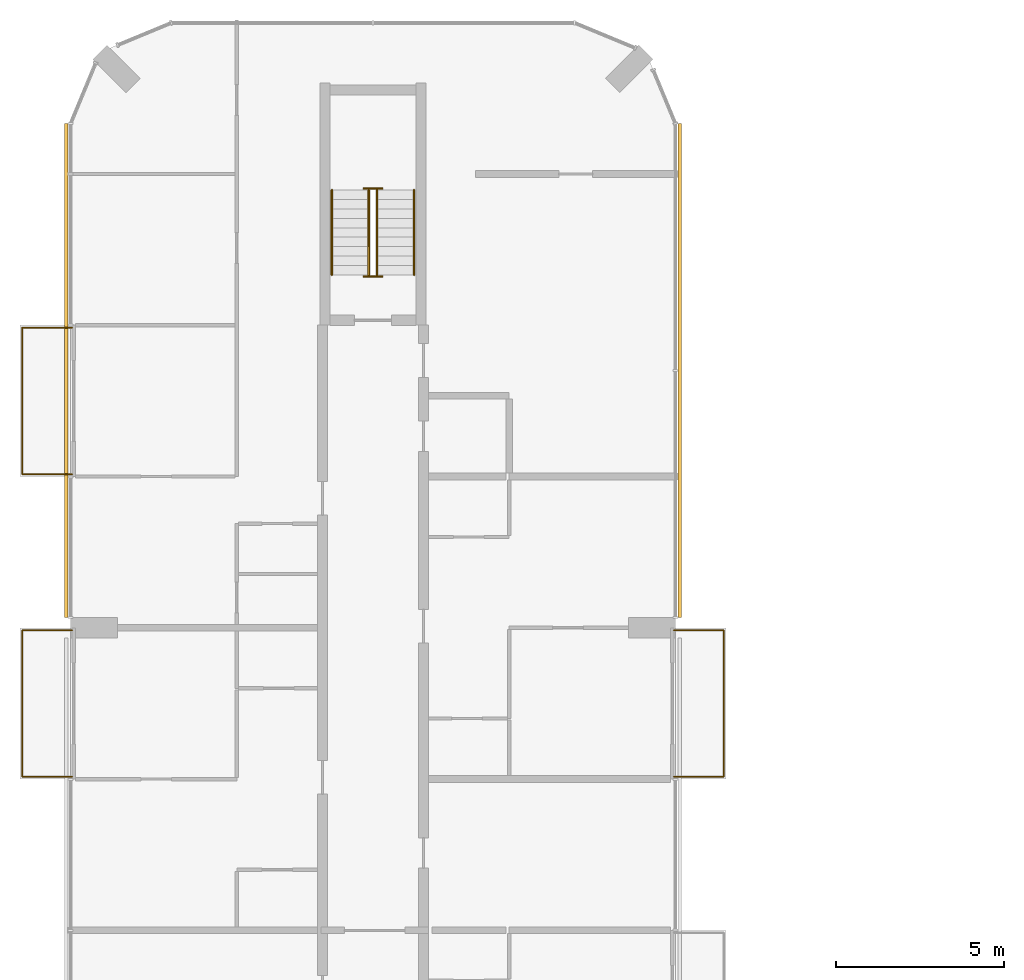
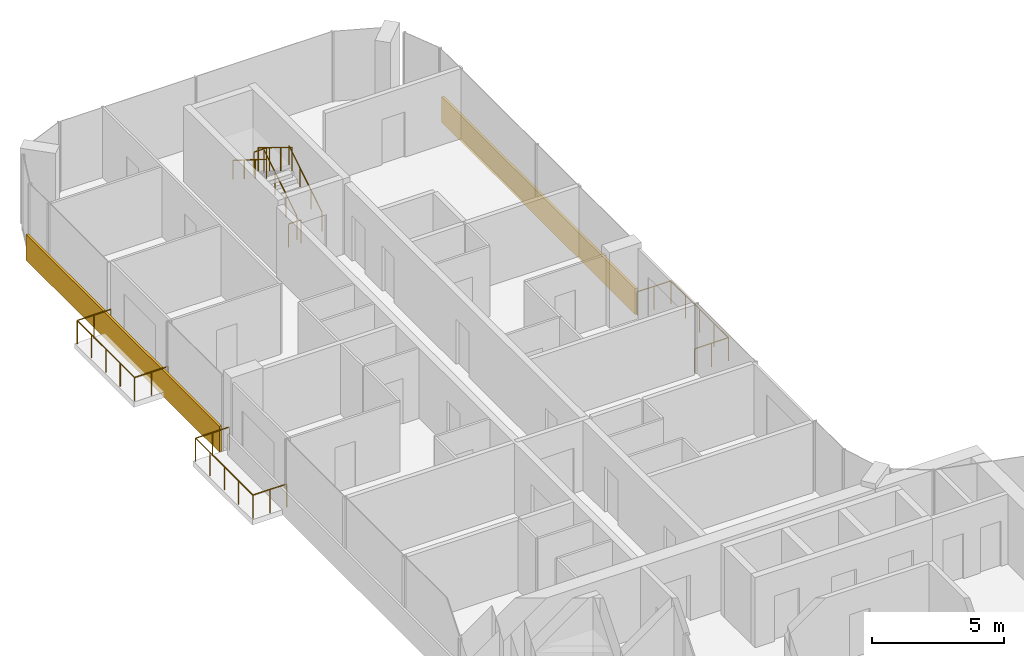
# One storey, part 15 of 15: 9 railings, 2 coverings.
"""IFC4 building model written with IfcOpenShell, lengths in metres."""

from ifc_helpers import new_model, si_unit, direction, frame, origin, origin_2d, place, context, subcontext, project, spatial, rectangle, circle, extrude, material, layer, layer_set, type_object, element, save


model = new_model("IFC4")

# Units and contexts
model_context = context("Model", 3, precision=1e-05, world=origin(), true_north=direction((0.0, 1.0)))
body_context = subcontext(model_context, "Body", "Model", "MODEL_VIEW")
ifc_project = project(units=[si_unit("LENGTHUNIT", "METRE"), si_unit("AREAUNIT", "SQUARE_METRE"), si_unit("VOLUMEUNIT", "CUBIC_METRE"), si_unit("PLANEANGLEUNIT", "RADIAN"), si_unit("MASSUNIT", "GRAM", prefix="KILO")], contexts=[model_context])

# Site, building, storey
site_placement = place(None, origin())
site = spatial("IfcSite", under=ifc_project, at=site_placement, CompositionType="ELEMENT")
building_placement = place(site_placement, origin())
building = spatial("IfcBuilding", under=site, at=building_placement, Name="Plateau Cross Towers", CompositionType="ELEMENT")
storey_placement = place(building_placement, frame((0.0, 0.0, 156.89990234375)))
storey = spatial("IfcBuildingStorey", under=building, at=storey_placement, Name="L40", CompositionType="ELEMENT", Elevation=156.89990234375)

# Railings
ifc_material_1 = material(Name="Stainless steel and toughened glass", Category="steel")
railing_type_1 = type_object("IfcRailingType", Name="Glass balustrade guard 1100", PredefinedType="GUARDRAIL", material=ifc_material_1)
for number, where, name in (
    (1, (0.050048828125, 31.570068359375, 0.0), "Guard guard1"),
    (2, (0.050048828125, 40.570068359375, 0.0), "Guard guard1"),
):
    element("IfcRailing", number, at=place(storey_placement, frame(where)), inside=storey, type_object=railing_type_1, Name=name, PredefinedType="GUARDRAIL", context=body_context, shape_type="SweptSolid", body=[
        extrude(circle(Radius=0.02392578125, at=origin_2d()), frame((0.0, 0.0, 1.076171875), z_axis=(-1.0, 0.0, 0.0), x_axis=(0.0, -1.0, 0.0)), (0.0, 0.0, 1.0), 1.47998046875),
        extrude(circle(Radius=0.02392578125, at=origin_2d()), frame((-1.47998046875, 0.0, 1.076171875), z_axis=(0.0, 1.0, 0.0), x_axis=(-1.0, 0.0, 0.0)), (0.0, 0.0, 1.0), 4.35986328125),
        extrude(circle(Radius=0.02392578125, at=origin_2d()), frame((-1.47998046875, 4.35986328125, 1.076171875), z_axis=(1.0, 0.0, 0.0), x_axis=(0.0, 1.0, 0.0)), (0.0, 0.0, 1.0), 1.47998046875),
        extrude(circle(Radius=0.02099609375, at=origin_2d()), origin(), (0.0, 0.0, 1.0), 1.052001953125),
        extrude(circle(Radius=0.02099609375, at=origin_2d()), frame((-0.739990234375, 0.0, 0.0)), (0.0, 0.0, 1.0), 1.052001953125),
        extrude(circle(Radius=0.02099609375, at=origin_2d()), frame((-1.47998046875, 0.0, 0.0)), (0.0, 0.0, 1.0), 1.052001953125),
        extrude(circle(Radius=0.02099609375, at=origin_2d()), frame((-1.47998046875, 1.08984375, 0.0)), (0.0, 0.0, 1.0), 1.052001953125),
        extrude(circle(Radius=0.02099609375, at=origin_2d()), frame((-1.47998046875, 2.179931640625, 0.0)), (0.0, 0.0, 1.0), 1.052001953125),
        extrude(circle(Radius=0.02099609375, at=origin_2d()), frame((-1.47998046875, 3.27001953125, 0.0)), (0.0, 0.0, 1.0), 1.052001953125),
        extrude(circle(Radius=0.02099609375, at=origin_2d()), frame((-1.47998046875, 4.35986328125, 0.0)), (0.0, 0.0, 1.0), 1.052001953125),
        extrude(circle(Radius=0.02099609375, at=origin_2d()), frame((-0.739990234375, 4.35986328125, 0.0)), (0.0, 0.0, 1.0), 1.052001953125),
        extrude(circle(Radius=0.02099609375, at=origin_2d()), frame((0.0, 4.35986328125, 0.0)), (0.0, 0.0, 1.0), 1.052001953125),
    ])
railing_1_placement = place(storey_placement, frame((17.949951171875, 35.929931640625, 0.0)))
element("IfcRailing", 3, at=railing_1_placement, inside=storey, type_object=railing_type_1, Name="Guard guard1", PredefinedType="GUARDRAIL", context=body_context, shape_type="SweptSolid", body=[
    extrude(circle(Radius=0.02392578125, at=origin_2d()), frame((0.0, 0.0, 1.076171875), z_axis=(1.0, 0.0, 0.0), x_axis=(0.0, 1.0, 0.0)), (0.0, 0.0, 1.0), 1.47998046875),
    extrude(circle(Radius=0.02392578125, at=origin_2d()), frame((1.47998046875, 0.0, 1.076171875), z_axis=(0.0, -1.0, 0.0), x_axis=(1.0, 0.0, 0.0)), (0.0, 0.0, 1.0), 4.35986328125),
    extrude(circle(Radius=0.02392578125, at=origin_2d()), frame((1.47998046875, -4.35986328125, 1.076171875), z_axis=(-1.0, 0.0, 0.0), x_axis=(0.0, -1.0, 0.0)), (0.0, 0.0, 1.0), 1.47998046875),
    extrude(circle(Radius=0.02099609375, at=origin_2d()), origin(), (0.0, 0.0, 1.0), 1.052001953125),
    extrude(circle(Radius=0.02099609375, at=origin_2d()), frame((0.739990234375, 0.0, 0.0)), (0.0, 0.0, 1.0), 1.052001953125),
    extrude(circle(Radius=0.02099609375, at=origin_2d()), frame((1.47998046875, 0.0, 0.0)), (0.0, 0.0, 1.0), 1.052001953125),
    extrude(circle(Radius=0.02099609375, at=origin_2d()), frame((1.47998046875, -1.08984375, 0.0)), (0.0, 0.0, 1.0), 1.052001953125),
    extrude(circle(Radius=0.02099609375, at=origin_2d()), frame((1.47998046875, -2.179931640625, 0.0)), (0.0, 0.0, 1.0), 1.052001953125),
    extrude(circle(Radius=0.02099609375, at=origin_2d()), frame((1.47998046875, -3.27001953125, 0.0)), (0.0, 0.0, 1.0), 1.052001953125),
    extrude(circle(Radius=0.02099609375, at=origin_2d()), frame((1.47998046875, -4.35986328125, 0.0)), (0.0, 0.0, 1.0), 1.052001953125),
    extrude(circle(Radius=0.02099609375, at=origin_2d()), frame((0.739990234375, -4.35986328125, 0.0)), (0.0, 0.0, 1.0), 1.052001953125),
    extrude(circle(Radius=0.02099609375, at=origin_2d()), frame((0.0, -4.35986328125, 0.0)), (0.0, 0.0, 1.0), 1.052001953125),
])
railing_type_2 = type_object("IfcRailingType", Name="RL-GUARD-1100", PredefinedType="GUARDRAIL", material=ifc_material_1)
railing_2_placement = place(storey_placement, frame((9.125, 46.5, 0.175048828125)))
element("IfcRailing", 4, at=railing_2_placement, inside=storey, type_object=railing_type_2, Name="L40 ES-N stair guard 1", PredefinedType="GUARDRAIL", context=body_context, shape_type="SweptSolid", body=[
    extrude(circle(Radius=0.02392578125, at=origin_2d()), frame((0.0, 0.0, 1.076171875), z_axis=(0.0, 0.848007534815, 0.529984170421), x_axis=(-1.0, 0.0, 0.0)), (0.0, 0.0, 1.0), 2.9716796875),
    extrude(circle(Radius=0.02099609375, at=origin_2d()), origin(), (0.0, 0.0, 1.0), 1.052001953125),
    extrude(circle(Radius=0.02099609375, at=origin_2d()), frame((0.0, 0.840087890625, 0.52490234375)), (0.0, 0.0, 1.0), 1.052001953125),
    extrude(circle(Radius=0.02099609375, at=origin_2d()), frame((0.0, 1.679931640625, 1.050048828125)), (0.0, 0.0, 1.0), 1.052001953125),
    extrude(circle(Radius=0.02099609375, at=origin_2d()), frame((0.0, 2.52001953125, 1.574951171875)), (0.0, 0.0, 1.0), 1.052001953125),
])
railing_3_placement = place(storey_placement, frame((9.27490234375, 49.070068359375, 1.75)))
element("IfcRailing", 5, at=railing_3_placement, inside=storey, type_object=railing_type_2, Name="L40 ES-N stair guard 2", PredefinedType="GUARDRAIL", context=body_context, shape_type="SweptSolid", body=[
    extrude(circle(Radius=0.02392578125, at=origin_2d()), frame((0.0, 0.0, 1.076171875), z_axis=(-1.0, 0.0, 0.0), x_axis=(0.0, -1.0, 0.0)), (0.0, 0.0, 1.0), 0.5498046875),
    extrude(circle(Radius=0.02099609375, at=origin_2d()), origin(), (0.0, 0.0, 1.0), 1.052001953125),
    extrude(circle(Radius=0.02099609375, at=origin_2d()), frame((-0.5498046875, 0.0, 0.0)), (0.0, 0.0, 1.0), 1.052001953125),
])
railing_4_placement = place(storey_placement, frame((8.875, 49.02001953125, 1.925048828125)))
element("IfcRailing", 6, at=railing_4_placement, inside=storey, type_object=railing_type_2, Name="L40 ES-N stair guard 3", PredefinedType="GUARDRAIL", context=body_context, shape_type="SweptSolid", body=[
    extrude(circle(Radius=0.02392578125, at=origin_2d()), frame((0.0, 0.0, 1.076171875), z_axis=(0.0, -0.852638500773, 0.522501279423), x_axis=(1.0, 0.0, 0.0)), (0.0, 0.0, 1.0), 3.01416015625),
    extrude(circle(Radius=0.02099609375, at=origin_2d()), origin(), (0.0, 0.0, 1.0), 1.052001953125),
    extrude(circle(Radius=0.02099609375, at=origin_2d()), frame((0.0, -0.856689453125, 0.52490234375)), (0.0, 0.0, 1.0), 1.052001953125),
    extrude(circle(Radius=0.02099609375, at=origin_2d()), frame((0.0, -1.71337890625, 1.050048828125)), (0.0, 0.0, 1.0), 1.052001953125),
    extrude(circle(Radius=0.02099609375, at=origin_2d()), frame((0.0, -2.570068359375, 1.574951171875)), (0.0, 0.0, 1.0), 1.052001953125),
])
railing_5_placement = place(storey_placement, frame((9.27490234375, 46.449951171875, 0.0)))
element("IfcRailing", 7, at=railing_5_placement, inside=storey, type_object=railing_type_2, Name="L40 ES-N stair guard 4", PredefinedType="GUARDRAIL", context=body_context, shape_type="SweptSolid", body=[
    extrude(circle(Radius=0.02392578125, at=origin_2d()), frame((0.0, 0.0, 1.076171875), z_axis=(-1.0, 0.0, 0.0), x_axis=(0.0, -1.0, 0.0)), (0.0, 0.0, 1.0), 0.5498046875),
    extrude(circle(Radius=0.02099609375, at=origin_2d()), origin(), (0.0, 0.0, 1.0), 1.052001953125),
    extrude(circle(Radius=0.02099609375, at=origin_2d()), frame((-0.5498046875, 0.0, 0.0)), (0.0, 0.0, 1.0), 1.052001953125),
])
ifc_material_2 = material(Name="Black anodised aluminium", Category="aluminium")
railing_type_3 = type_object("IfcRailingType", Name="RL-HANDRAIL-900", PredefinedType="HANDRAIL", material=ifc_material_2)
railing_6_placement = place(storey_placement, frame((10.22509765625, 46.5, 0.175048828125)))
element("IfcRailing", 8, at=railing_6_placement, inside=storey, type_object=railing_type_3, Name="L40 ES-N stair handrail 1", PredefinedType="HANDRAIL", context=body_context, shape_type="SweptSolid", body=[
    extrude(circle(Radius=0.02392578125, at=origin_2d()), frame((0.0, 0.0, 0.8759765625), z_axis=(0.0, 0.848007534815, 0.529984170421), x_axis=(-1.0, 0.0, 0.0)), (0.0, 0.0, 1.0), 2.9716796875),
    extrude(circle(Radius=0.02099609375, at=origin_2d()), origin(), (0.0, 0.0, 1.0), 0.851806640625),
    extrude(circle(Radius=0.02099609375, at=origin_2d()), frame((0.0, 0.840087890625, 0.52490234375)), (0.0, 0.0, 1.0), 0.851806640625),
    extrude(circle(Radius=0.02099609375, at=origin_2d()), frame((0.0, 1.679931640625, 1.050048828125)), (0.0, 0.0, 1.0), 0.851806640625),
    extrude(circle(Radius=0.02099609375, at=origin_2d()), frame((0.0, 2.52001953125, 1.574951171875)), (0.0, 0.0, 1.0), 0.851806640625),
])
railing_7_placement = place(storey_placement, frame((7.77490234375, 49.02001953125, 1.925048828125)))
element("IfcRailing", 9, at=railing_7_placement, inside=storey, type_object=railing_type_3, Name="L40 ES-N stair handrail 2", PredefinedType="HANDRAIL", context=body_context, shape_type="SweptSolid", body=[
    extrude(circle(Radius=0.02392578125, at=origin_2d()), frame((0.0, 0.0, 0.8759765625), z_axis=(0.0, -0.848007534815, 0.529984170421), x_axis=(1.0, 0.0, 0.0)), (0.0, 0.0, 1.0), 2.9716796875),
    extrude(circle(Radius=0.02099609375, at=origin_2d()), origin(), (0.0, 0.0, 1.0), 0.851806640625),
    extrude(circle(Radius=0.02099609375, at=origin_2d()), frame((0.0, -0.840087890625, 0.52490234375)), (0.0, 0.0, 1.0), 0.851806640625),
    extrude(circle(Radius=0.02099609375, at=origin_2d()), frame((0.0, -1.679931640625, 1.050048828125)), (0.0, 0.0, 1.0), 0.851806640625),
    extrude(circle(Radius=0.02099609375, at=origin_2d()), frame((0.0, -2.52001953125, 1.574951171875)), (0.0, 0.0, 1.0), 0.851806640625),
])

# Coverings
ifc_material_3 = material(Name="Precast concrete cladding C40/50", Category="concrete")
ifc_layer = layer(ifc_material_3, 0.10009765625)
ifc_layer_set = layer_set([ifc_layer], Name="Precast concrete cladding C40/50")
covering_type = type_object("IfcCoveringType", Name="Spandrel band cladding 100x1200", PredefinedType="CLADDING", material=ifc_layer_set)
for number, where, z_axis, x_axis, name in (
    (10, (18.1201171875, 43.64990234375, -0.25), (0.0, 0.0, 1.0), (0.0, 1.0, 0.0), "Spandrel band"),
    (11, (-0.1201171875, 43.64990234375, -0.25), (0.0, 0.0, 1.0), (0.0, -1.0, 0.0), "Spandrel band"),
):
    element("IfcCovering", number, at=place(storey_placement, frame(where, z_axis=z_axis, x_axis=x_axis)), inside=storey, type_object=covering_type, Name=name, PredefinedType="CLADDING", context=body_context, shape_type="SweptSolid", body=[
        extrude(rectangle(XDim=14.699951171875, YDim=0.10009765625, at=origin_2d()), origin(), (0.0, 0.0, 1.0), 1.199951171875),
    ])

save(model, "model.ifc")
